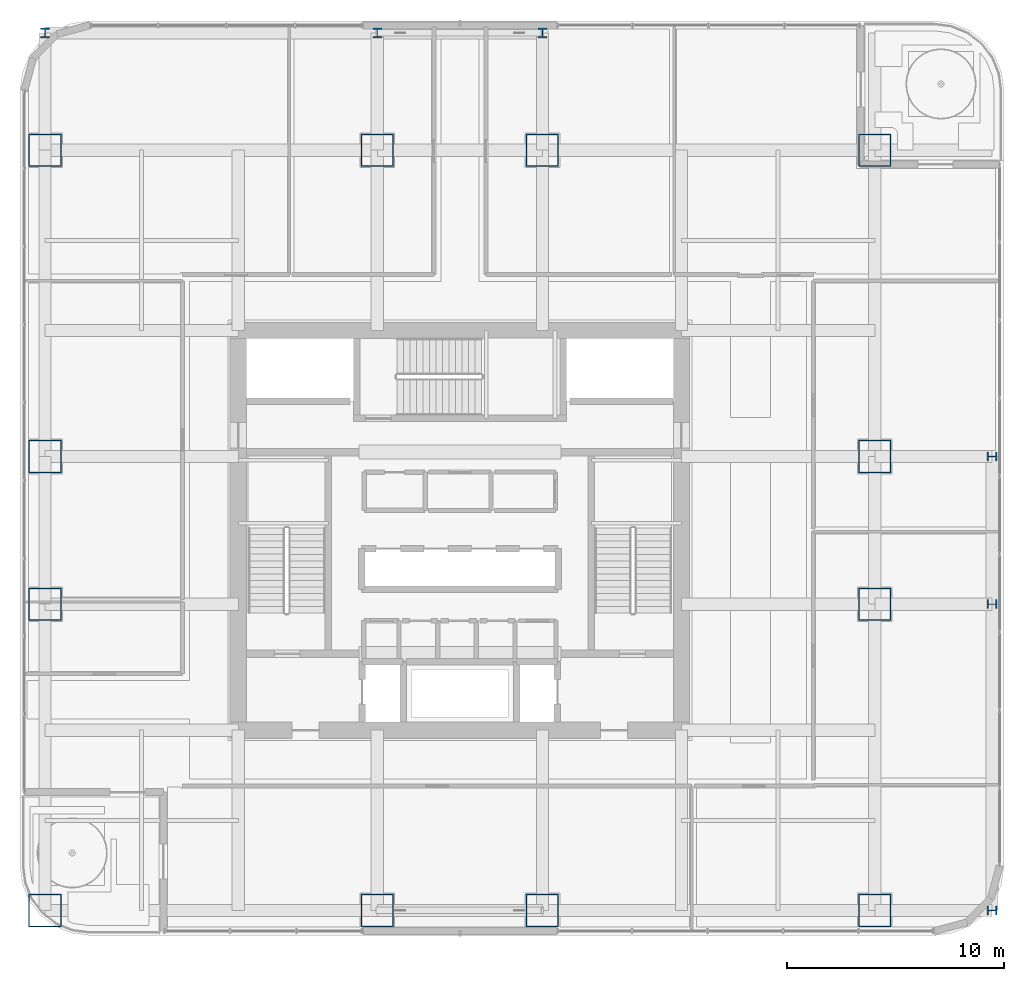
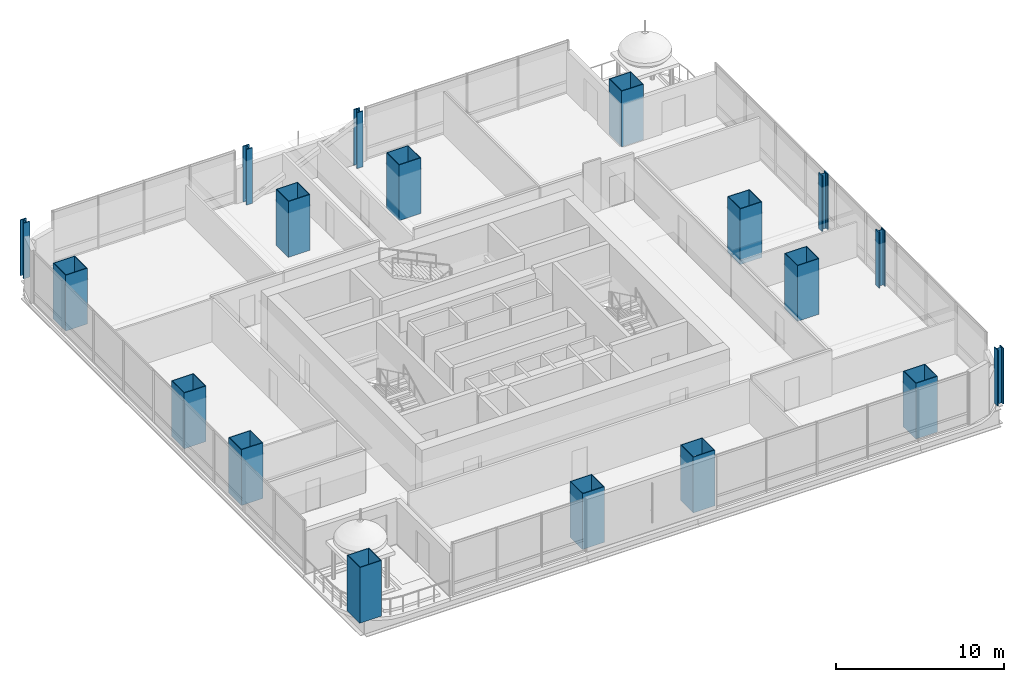
# One storey, part 1 of 37: 18 columns.
"""IFC4 building model written with IfcOpenShell, lengths in metres."""

from ifc_helpers import new_model, si_unit, direction, frame, origin, origin_2d, place, context, subcontext, project, spatial, hollow_rectangle, i_section, extrude, material, material_profile, profile_set, type_object, element, save


model = new_model("IFC4")

# Units and contexts
model_context = context("Model", 3, precision=1e-05, world=origin(), true_north=direction((0.0, 1.0)))
body_context = subcontext(model_context, "Body", "Model", "MODEL_VIEW")
ifc_project = project(units=[si_unit("LENGTHUNIT", "METRE"), si_unit("AREAUNIT", "SQUARE_METRE"), si_unit("VOLUMEUNIT", "CUBIC_METRE"), si_unit("PLANEANGLEUNIT", "RADIAN"), si_unit("MASSUNIT", "GRAM", prefix="KILO")], contexts=[model_context])

# Site, building, storey
site_placement = place(None, origin())
site = spatial("IfcSite", under=ifc_project, at=site_placement, CompositionType="ELEMENT")
building_placement = place(site_placement, origin())
building = spatial("IfcBuilding", under=site, at=building_placement, Name="Punatoya Terracotta Tower", CompositionType="ELEMENT")
storey_placement = place(building_placement, frame((0.0, 0.0, 109.199951171875)))
storey = spatial("IfcBuildingStorey", under=building, at=storey_placement, Name="L25", CompositionType="ELEMENT", Elevation=109.199951171875)

# Columns
ifc_material = material(Name="Steel S460", Category="steel")
ifc_material_profile_1 = material_profile(ifc_material, i_section(OverallWidth=0.416015625, OverallDepth=0.446044921875, WebThickness=0.0390625, FlangeThickness=0.06201171875, FilletRadius=0.01806640625, at=origin_2d()))
ifc_profile_set_1 = profile_set([ifc_material_profile_1], Name="Steel S460")
column_type_1 = type_object("IfcColumnType", Name="COL-EX-M1", PredefinedType="COLUMN", material=ifc_profile_set_1)
for number, where, z_axis, x_axis, name in (
    (1, (-19.10009765625, 22.89990234375, 0.0), (0.0, 0.0, 1.0), (1.0, 0.0, 0.0), "L25 Exoskeleton Perimeter Column N1"),
    (2, (-3.800048828125, 22.89990234375, 0.0), (0.0, 0.0, 1.0), (1.0, 0.0, 0.0), "L25 Exoskeleton Perimeter Column N2"),
    (3, (3.800048828125, 22.89990234375, 0.0), (0.0, 0.0, 1.0), (1.0, 0.0, 0.0), "L25 Exoskeleton Perimeter Column N3"),
    (4, (24.5, -17.5, 0.0), (0.0, 0.0, 1.0), (0.0, 1.0, 0.0), "L25 Exoskeleton Perimeter Column E1"),
    (5, (24.5, -3.39990234375, 0.0), (0.0, 0.0, 1.0), (0.0, 1.0, 0.0), "L25 Exoskeleton Perimeter Column E2"),
    (6, (24.5, 3.39990234375, 0.0), (0.0, 0.0, 1.0), (0.0, 1.0, 0.0), "L25 Exoskeleton Perimeter Column E3"),
):
    element("IfcColumn", number, at=place(storey_placement, frame(where, z_axis=z_axis, x_axis=x_axis)), inside=storey, type_object=column_type_1, Name=name, PredefinedType="COLUMN", context=body_context, shape_type="SweptSolid", body=[
        extrude(i_section(OverallWidth=0.416015625, OverallDepth=0.446044921875, WebThickness=0.0390625, FlangeThickness=0.06201171875, FilletRadius=0.01806640625, at=origin_2d()), origin(), (0.0, 0.0, 1.0), 4.048095703125),
    ])
ifc_material_profile_2 = material_profile(ifc_material, hollow_rectangle(XDim=1.5, YDim=1.5, WallThickness=0.044921875, at=origin_2d()))
ifc_profile_set_2 = profile_set([ifc_material_profile_2], Name="Steel S460")
column_type_2 = type_object("IfcColumnType", Name="COL-MC-Z1", PredefinedType="COLUMN", material=ifc_profile_set_2)
for number, where, z_axis, x_axis, name in (
    (7, (-19.10009765625, -17.5, 0.0), (0.0, 0.0, 1.0), (1.0, 0.0, 0.0), "L25 Composite Mega-Column MC-01 (3-B)"),
    (8, (-3.800048828125, -17.5, 0.0), (0.0, 0.0, 1.0), (1.0, 0.0, 0.0), "L25 Composite Mega-Column MC-02 (5-B)"),
    (9, (3.800048828125, -17.5, 0.0), (0.0, 0.0, 1.0), (1.0, 0.0, 0.0), "L25 Composite Mega-Column MC-03 (7-B)"),
    (10, (19.10009765625, -17.5, 0.0), (0.0, 0.0, 1.0), (1.0, 0.0, 0.0), "L25 Composite Mega-Column MC-04 (9-B)"),
    (11, (19.10009765625, -3.39990234375, 0.0), (0.0, 0.0, 1.0), (1.0, 0.0, 0.0), "L25 Composite Mega-Column MC-05 (9-D)"),
    (12, (19.10009765625, 3.39990234375, 0.0), (0.0, 0.0, 1.0), (1.0, 0.0, 0.0), "L25 Composite Mega-Column MC-06 (9-E)"),
    (13, (19.10009765625, 17.5, 0.0), (0.0, 0.0, 1.0), (1.0, 0.0, 0.0), "L25 Composite Mega-Column MC-07 (9-G)"),
    (14, (3.800048828125, 17.5, 0.0), (0.0, 0.0, 1.0), (1.0, 0.0, 0.0), "L25 Composite Mega-Column MC-08 (7-G)"),
    (15, (-3.800048828125, 17.5, 0.0), (0.0, 0.0, 1.0), (1.0, 0.0, 0.0), "L25 Composite Mega-Column MC-09 (5-G)"),
    (16, (-19.10009765625, 17.5, 0.0), (0.0, 0.0, 1.0), (1.0, 0.0, 0.0), "L25 Composite Mega-Column MC-10 (3-G)"),
    (17, (-19.10009765625, 3.39990234375, 0.0), (0.0, 0.0, 1.0), (1.0, 0.0, 0.0), "L25 Composite Mega-Column MC-11 (3-E)"),
    (18, (-19.10009765625, -3.39990234375, 0.0), (0.0, 0.0, 1.0), (1.0, 0.0, 0.0), "L25 Composite Mega-Column MC-12 (3-D)"),
):
    element("IfcColumn", number, at=place(storey_placement, frame(where, z_axis=z_axis, x_axis=x_axis)), inside=storey, type_object=column_type_2, Name=name, PredefinedType="COLUMN", context=body_context, shape_type="SweptSolid", body=[
        extrude(hollow_rectangle(XDim=1.5, YDim=1.5, WallThickness=0.044921875, at=origin_2d()), origin(), (0.0, 0.0, 1.0), 4.050048828125),
    ])

save(model, "model.ifc")
